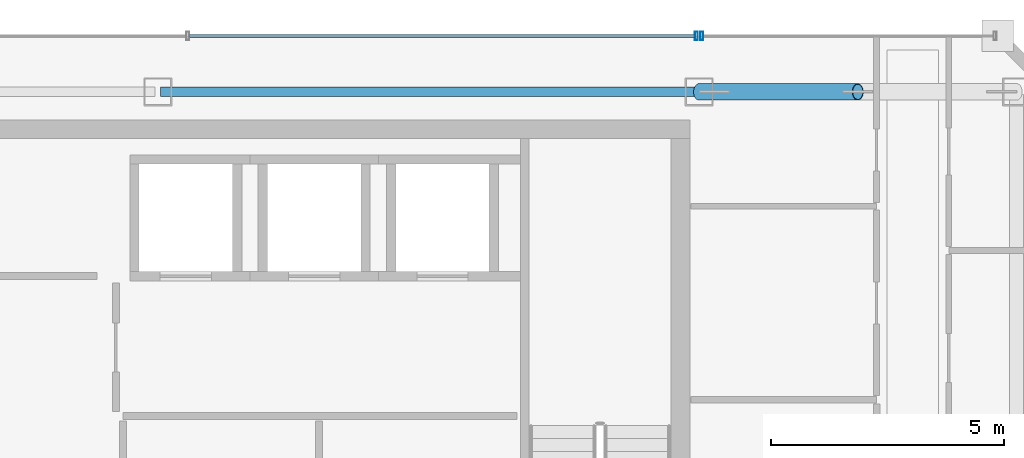
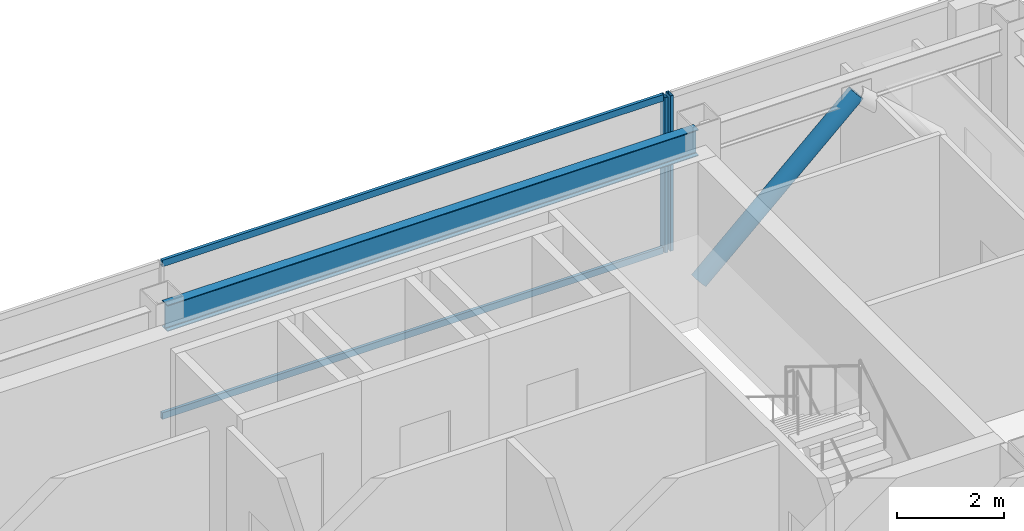
# One storey, part 8 of 17: 5 members, 1 beam, 2 elements without a shape of their own.
"""IFC4 building model written with IfcOpenShell, lengths in metres."""

from ifc_helpers import new_model, si_unit, direction, frame, origin, origin_2d, place, context, subcontext, project, spatial, hollow_rectangle, hollow_circle, i_section, extrude, material, material_profile, profile_set, type_object, element, aggregate, save


model = new_model("IFC4")

# Units and contexts
model_context = context("Model", 3, precision=1e-05, world=origin(), true_north=direction((0.0, 1.0)))
body_context = subcontext(model_context, "Body", "Model", "MODEL_VIEW")
ifc_project = project(units=[si_unit("LENGTHUNIT", "METRE"), si_unit("AREAUNIT", "SQUARE_METRE"), si_unit("VOLUMEUNIT", "CUBIC_METRE"), si_unit("PLANEANGLEUNIT", "RADIAN"), si_unit("MASSUNIT", "GRAM", prefix="KILO")], contexts=[model_context])

# Site, building, storey
site_placement = place(None, origin())
site = spatial("IfcSite", under=ifc_project, at=site_placement, CompositionType="ELEMENT")
building_placement = place(site_placement, origin())
building = spatial("IfcBuilding", under=site, at=building_placement, Name="Saevonmaru Cultural Tower", CompositionType="ELEMENT")
storey_placement = place(building_placement, frame((0.0, 0.0, 310.39990234375)))
storey = spatial("IfcBuildingStorey", under=building, at=storey_placement, Name="L74", CompositionType="ELEMENT", Elevation=310.39990234375)

# Beam
ifc_material_1 = material(Name="Steel SM355", Category="steel")
ifc_material_profile_1 = material_profile(ifc_material_1, i_section(OverallWidth=0.199951171875, OverallDepth=0.60009765625, WebThickness=0.010986328125, FlangeThickness=0.01708984375, FilletRadius=0.02197265625, at=origin_2d()), Name="H-600x200x11x17")
ifc_profile_set_1 = profile_set([ifc_material_profile_1], Name="Steel SM355")
beam_type = type_object("IfcBeamType", Name="BM-SP-H600", PredefinedType="SPANDREL", material=ifc_profile_set_1)
beam_placement = place(storey_placement, frame((34.860107421875, 54.800048828125, 3.25), z_axis=(1.0, 0.0, 0.0), x_axis=(0.0, 1.0, 0.0)))
element("IfcBeam", 1, at=beam_placement, inside=storey, type_object=beam_type, Name="L74 North Spine Girder 4", PredefinedType="SPANDREL", context=body_context, shape_type="SweptSolid", body=[
    extrude(i_section(OverallWidth=0.199951171875, OverallDepth=0.60009765625, WebThickness=0.010986328125, FlangeThickness=0.01708984375, FilletRadius=0.02197265625, at=origin_2d()), origin(), (0.0, 0.0, 1.0), 11.47998046875),
])

# Member
ifc_material_profile_2 = material_profile(ifc_material_1, hollow_circle(Radius=0.177734375, WallThickness=0.01611328125, at=origin_2d()), Name="CHS-355.6x16")
ifc_profile_set_2 = profile_set([ifc_material_profile_2], Name="Steel SM355")
member_type_1 = type_object("IfcMemberType", Name="MB-PBR-CHS356", PredefinedType="BRACE", material=ifc_profile_set_2)
member_1_placement = place(storey_placement, frame((46.39990234375, 54.800048828125, 0.02001953125), z_axis=(0.738959728749, 0.0, 0.673749596873), x_axis=(0.0, 1.0, 0.0)))
element("IfcMember", 2, at=member_1_placement, inside=storey, type_object=member_type_1, Name="L74 Perimeter Braced-Tube Diagonal EN1", PredefinedType="BRACE", context=body_context, shape_type="SweptSolid", body=[
    extrude(hollow_circle(Radius=0.177734375, WallThickness=0.01611328125, at=origin_2d()), origin(), (0.0, 0.0, 1.0), 4.601318359375),
])

# Curtain wall, member
ifc_material_2 = material(Name="Satin Bronze Anodised Aluminium", Category="aluminium")
curtain_wall_type = type_object("IfcCurtainWallType", Name="CW-TYP-B", PredefinedType="NOTDEFINED", material=ifc_material_2)
curtain_wall_1_placement = place(storey_placement, origin())
curtain_wall_1 = element("IfcCurtainWall", 3, at=curtain_wall_1_placement, inside=storey, type_object=curtain_wall_type, Name="L74 East Braced Bay Spandrel Curtain Wall E10A", PredefinedType="NOTDEFINED")
ifc_material_profile_3 = material_profile(ifc_material_2, hollow_rectangle(XDim=0.06494140625, YDim=0.179931640625, WallThickness=0.00390625, at=origin_2d()), Name="ALU-MULL-180x65x4")
ifc_profile_set_3 = profile_set([ifc_material_profile_3], Name="Satin Bronze Anodised Aluminium")
member_type_2 = type_object("IfcMemberType", Name="ML-CW-180x65", PredefinedType="MULLION", material=ifc_profile_set_3)
member_2_placement = place(storey_placement, frame((46.4599609375, 56.0, 0.0), z_axis=(0.0, 0.0, 1.0), x_axis=(-1.0, 0.0, 0.0)))
member_2 = element("IfcMember", 4, at=member_2_placement, type_object=member_type_2, Name="CW-TW-L74-E10A mullion 2", PredefinedType="MULLION", context=body_context, shape_type="SweptSolid", body=[
    extrude(hollow_rectangle(XDim=0.06494140625, YDim=0.179931640625, WallThickness=0.00390625, at=origin_2d()), origin(), (0.0, 0.0, 1.0), 3.550048828125),
])
aggregate(curtain_wall_1, [member_2])

# Curtain wall, members
curtain_wall_2_placement = place(storey_placement, origin())
curtain_wall_2 = element("IfcCurtainWall", 5, at=curtain_wall_2_placement, inside=storey, type_object=curtain_wall_type, Name="L74 North Spine Unitised Curtain Wall E10B", PredefinedType="NOTDEFINED")
member_3_placement = place(storey_placement, frame((46.340087890625, 56.0, 0.0), z_axis=(0.0, 0.0, 1.0), x_axis=(-1.0, 0.0, 0.0)))
member_3 = element("IfcMember", 6, at=member_3_placement, type_object=member_type_2, Name="CW-TW-L74-E10B mullion 1", PredefinedType="MULLION", context=body_context, shape_type="SweptSolid", body=[
    extrude(hollow_rectangle(XDim=0.06494140625, YDim=0.179931640625, WallThickness=0.00390625, at=origin_2d()), origin(), (0.0, 0.0, 1.0), 3.550048828125),
])
ifc_material_profile_4 = material_profile(ifc_material_2, hollow_rectangle(XDim=0.06494140625, YDim=0.14990234375, WallThickness=0.00390625, at=origin_2d()), Name="ALU-TRAN-150x65x4")
ifc_profile_set_4 = profile_set([ifc_material_profile_4], Name="Satin Bronze Anodised Aluminium")
member_type_3 = type_object("IfcMemberType", Name="TR-CW-150x65", PredefinedType="USERDEFINED", material=ifc_profile_set_4)
member_4_placement = place(storey_placement, frame((46.3076171875, 56.0, 0.03271484375), z_axis=(-1.0, 0.0, 0.0), x_axis=(0.0, -1.0, 0.0)))
member_4 = element("IfcMember", 7, at=member_4_placement, type_object=member_type_3, Name="CW-TW-L74-E10B transom 1.1", ObjectType="TRANSOM", PredefinedType="USERDEFINED", context=body_context, shape_type="SweptSolid", body=[
    extrude(hollow_rectangle(XDim=0.06494140625, YDim=0.14990234375, WallThickness=0.00390625, at=origin_2d()), origin(), (0.0, 0.0, 1.0), 10.828369140625),
])
member_5_placement = place(storey_placement, frame((46.3076171875, 56.0, 3.517578125), z_axis=(-1.0, 0.0, 0.0), x_axis=(0.0, -1.0, 0.0)))
member_5 = element("IfcMember", 8, at=member_5_placement, type_object=member_type_3, Name="CW-TW-L74-E10B transom 1.2", ObjectType="TRANSOM", PredefinedType="USERDEFINED", context=body_context, shape_type="SweptSolid", body=[
    extrude(hollow_rectangle(XDim=0.06494140625, YDim=0.14990234375, WallThickness=0.00390625, at=origin_2d()), origin(), (0.0, 0.0, 1.0), 10.828369140625),
])
aggregate(curtain_wall_2, [member_3, member_4, member_5])

save(model, "model.ifc")
